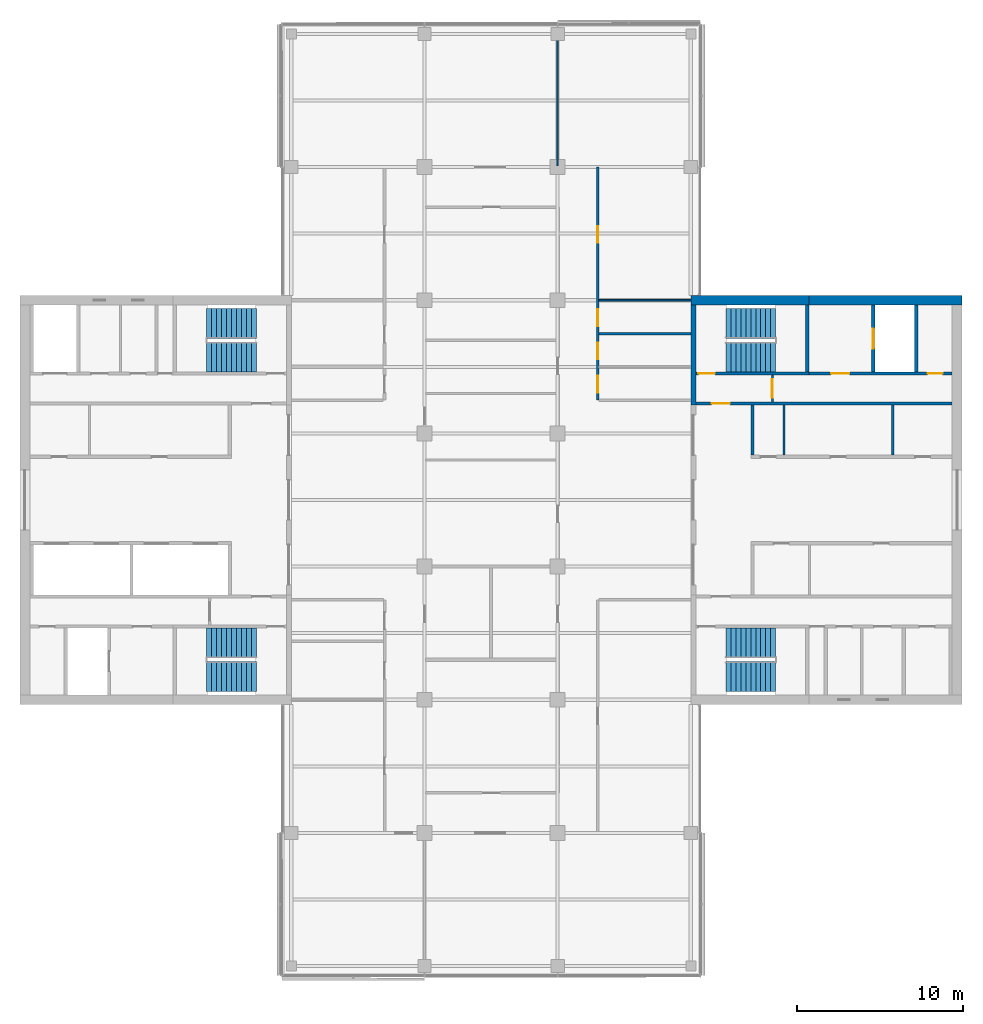
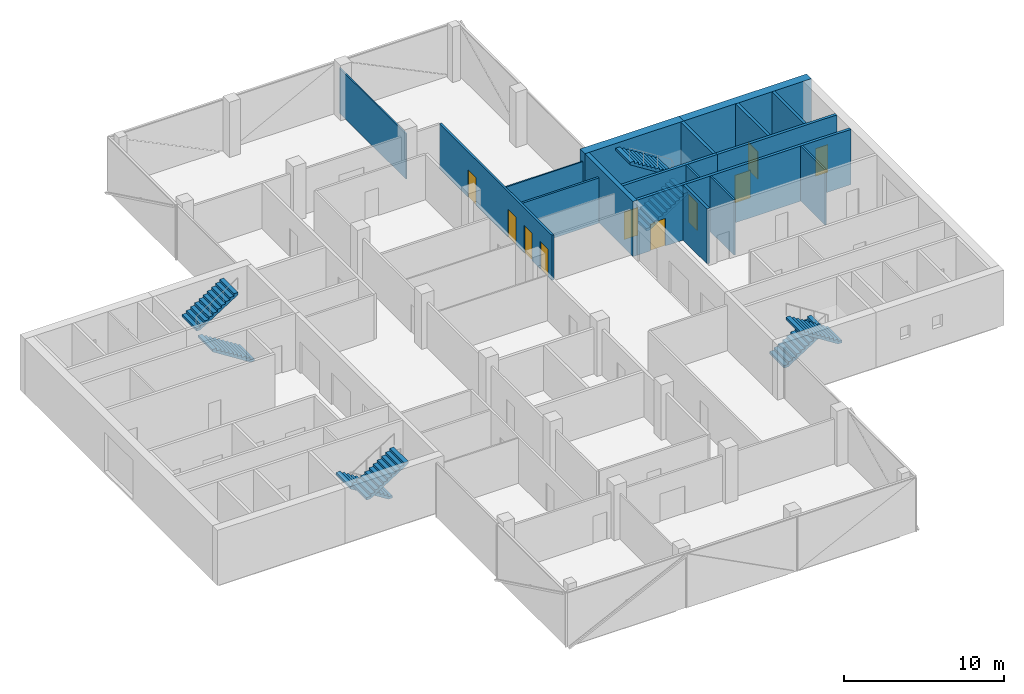
# One storey, part 12 of 15: 17 walls, 10 doors, 8 stair flights, 10 openings, 4 elements without a shape of their own.
"""IFC4 building model written with IfcOpenShell, lengths in metres."""

from ifc_helpers import new_model, si_unit, direction, frame, frame_2d, origin, place, context, subcontext, project, spatial, polyline, rectangle, outline, extrude, material, layer, layer_set, constituent, constituent_set, type_object, element, fill, aggregate, save


model = new_model("IFC4")

# Units and contexts
model_context = context("Model", 3, precision=1e-05, world=origin(), true_north=direction((0.0, 1.0)))
body_context = subcontext(model_context, "Body", "Model", "MODEL_VIEW")
ifc_project = project(units=[si_unit("LENGTHUNIT", "METRE"), si_unit("AREAUNIT", "SQUARE_METRE"), si_unit("VOLUMEUNIT", "CUBIC_METRE"), si_unit("PLANEANGLEUNIT", "RADIAN"), si_unit("MASSUNIT", "GRAM", prefix="KILO")], contexts=[model_context])

# Site, building, storey
site_placement = place(None, origin())
site = spatial("IfcSite", under=ifc_project, at=site_placement, CompositionType="ELEMENT")
building_placement = place(site_placement, origin())
building = spatial("IfcBuilding", under=site, at=building_placement, Name="Crosswind Convention Tower", CompositionType="ELEMENT")
storey_placement = place(building_placement, frame((0.0, 0.0, 229.300048828125)))
storey = spatial("IfcBuildingStorey", under=building, at=storey_placement, Name="L49", CompositionType="ELEMENT", Elevation=229.300048828125)

# Walls
ifc_material_1 = material(Name="Concrete C50/60", Category="concrete")
ifc_layer_1 = layer(ifc_material_1, 0.300048828125)
ifc_layer_set_1 = layer_set([ifc_layer_1], Name="Concrete C50/60")
wall_type_1 = type_object("IfcWallType", Name="Concrete inner core wall 300", PredefinedType="SHEAR", material=ifc_layer_set_1)
wall_1_placement = place(storey_placement, frame((137.14990234375, 105.699951171875, 0.0), z_axis=(0.0, 0.0, 1.0), x_axis=(0.0, 1.0, 0.0)))
element("IfcWall", 1, at=wall_1_placement, inside=storey, type_object=wall_type_1, Name="Wall EP E L49", PredefinedType="SHEAR", context=body_context, shape_type="SweptSolid", body=[
    extrude(rectangle(XDim=6.0, YDim=0.300048828125, at=frame_2d((3.0, 0.0))), origin(), (0.0, 0.0, 1.0), 4.199951171875),
])
ifc_layer_2 = layer(ifc_material_1, 0.199951171875)
ifc_layer_set_2 = layer_set([ifc_layer_2], Name="Concrete C50/60")
wall_type_2 = type_object("IfcWallType", Name="Concrete shaft and stair wall 200", PredefinedType="SHEAR", material=ifc_layer_set_2)
wall_2_placement = place(storey_placement, frame((140.699951171875, 102.699951171875, 0.0), z_axis=(0.0, 0.0, 1.0), x_axis=(0.0, 1.0, 0.0)))
element("IfcWall", 2, at=wall_2_placement, inside=storey, type_object=wall_type_2, Name="Wall RPEND E L49", PredefinedType="SHEAR", context=body_context, shape_type="SweptSolid", body=[
    extrude(rectangle(XDim=3.0, YDim=0.199951171875, at=frame_2d((1.5, 0.0))), origin(), (0.0, 0.0, 1.0), 4.199951171875),
])

# Wall, opening, door
wall_3_placement = place(storey_placement, frame((137.300048828125, 105.800048828125, 0.0), z_axis=(0.0, 0.0, 1.0), x_axis=(1.0, 0.0, 0.0)))
wall_3 = element("IfcWall", 3, at=wall_3_placement, inside=storey, type_object=wall_type_2, Name="Wall HP E L49", PredefinedType="SHEAR", context=body_context, shape_type="SweptSolid", body=[
    extrude(rectangle(XDim=15.39990234375, YDim=0.199951171875, at=frame_2d((7.699951171875, 0.0))), origin(), (0.0, 0.0, 1.0), 4.199951171875),
])
opening_1_placement = place(wall_3_placement, frame((0.949951171875, 0.0, 0.0)))
opening_1 = element("IfcOpeningElement", 4, at=opening_1_placement, cuts=wall_3, Name="Opening D104", PredefinedType="OPENING", context=body_context, shape_type="SweptSolid", body=[
    extrude(rectangle(XDim=1.10009765625, YDim=2.10009765625, at=frame_2d((0.550048828125, 1.050048828125))), frame((0.0, 0.10986328125, 0.0), z_axis=(0.0, -1.0, 0.0), x_axis=(1.0, 0.0, 0.0)), (0.0, 0.0, 1.0), 0.219970703125),
])
ifc_material_2 = material(Name="Steel fire door", Category="steel")
door_type_1 = type_object("IfcDoorType", Name="Fire-rated single door 1100x2100", OperationType="NOTDEFINED", PredefinedType="DOOR", material=ifc_material_2)
door_1_placement = place(opening_1_placement, origin())
door_1 = element("IfcDoor", 5, at=door_1_placement, inside=storey, type_object=door_type_1, Name="Corridor door L49", ObjectType="D104", OperationType="SINGLE_SWING_LEFT", OverallHeight=2.10009765625, OverallWidth=1.10009765625, PredefinedType="DOOR", context=body_context, shape_type="SweptSolid", body=[
    extrude(rectangle(XDim=1.10009765625, YDim=2.10009765625, at=frame_2d((0.550048828125, 1.050048828125))), frame((0.0, 0.02490234375, 0.0), z_axis=(0.0, -1.0, 0.0), x_axis=(1.0, 0.0, 0.0)), (0.0, 0.0, 1.0), 0.050048828125),
])
fill(opening_1, door_1)

# Wall
wall_4_placement = place(storey_placement, frame((144.0, 107.699951171875, 0.0), z_axis=(0.0, 0.0, 1.0), x_axis=(0.0, 1.0, 0.0)))
element("IfcWall", 6, at=wall_4_placement, inside=storey, type_object=wall_type_2, Name="Wall PSE E L49", PredefinedType="SHEAR", context=body_context, shape_type="SweptSolid", body=[
    extrude(rectangle(XDim=4.0, YDim=0.199951171875, at=frame_2d((2.0, 0.0))), origin(), (0.0, 0.0, 1.0), 4.199951171875),
])

# Wall, opening, door
wall_5_placement = place(storey_placement, frame((147.949951171875, 107.699951171875, 0.0), z_axis=(0.0, 0.0, 1.0), x_axis=(0.0, 1.0, 0.0)))
wall_5 = element("IfcWall", 7, at=wall_5_placement, inside=storey, type_object=wall_type_2, Name="Wall PFLW E L49", PredefinedType="SHEAR", context=body_context, shape_type="SweptSolid", body=[
    extrude(rectangle(XDim=4.0, YDim=0.199951171875, at=frame_2d((2.0, 0.0))), origin(), (0.0, 0.0, 1.0), 4.199951171875),
])
opening_2_placement = place(wall_5_placement, frame((1.39990234375, 0.0, 0.0)))
opening_2 = element("IfcOpeningElement", 8, at=opening_2_placement, cuts=wall_5, Name="Opening LD1", PredefinedType="OPENING", context=body_context, shape_type="SweptSolid", body=[
    extrude(rectangle(XDim=1.199951171875, YDim=2.10009765625, at=frame_2d((0.60009765625, 1.050048828125))), frame((0.0, 0.10986328125, 0.0), z_axis=(0.0, -1.0, 0.0), x_axis=(1.0, 0.0, 0.0)), (0.0, 0.0, 1.0), 0.219970703125),
])
ifc_material_3 = material(Name="Stainless steel", Category="steel")
door_type_2 = type_object("IfcDoorType", Name="Lift landing door 1200x2100", OperationType="DOUBLE_DOOR_SLIDING", PredefinedType="DOOR", material=ifc_material_3)
door_2_placement = place(opening_2_placement, origin())
door_2 = element("IfcDoor", 9, at=door_2_placement, inside=storey, type_object=door_type_2, Name="Landing door FF1 L49", ObjectType="LD1", OperationType="DOUBLE_DOOR_SLIDING", OverallHeight=2.10009765625, OverallWidth=1.199951171875, PredefinedType="DOOR", context=body_context, shape_type="SweptSolid", body=[
    extrude(rectangle(XDim=1.199951171875, YDim=2.10009765625, at=frame_2d((0.60009765625, 1.050048828125))), frame((0.0, 0.02490234375, 0.0), z_axis=(0.0, -1.0, 0.0), x_axis=(1.0, 0.0, 0.0)), (0.0, 0.0, 1.0), 0.050048828125),
])
fill(opening_2, door_2)

# Wall
wall_6_placement = place(storey_placement, frame((150.550048828125, 107.699951171875, 0.0), z_axis=(0.0, 0.0, 1.0), x_axis=(0.0, 1.0, 0.0)))
element("IfcWall", 10, at=wall_6_placement, inside=storey, type_object=wall_type_2, Name="Wall PFSE E L49", PredefinedType="SHEAR", context=body_context, shape_type="SweptSolid", body=[
    extrude(rectangle(XDim=4.0, YDim=0.199951171875, at=frame_2d((2.0, 0.0))), origin(), (0.0, 0.0, 1.0), 4.199951171875),
])

# Wall, opening, door
wall_7_placement = place(storey_placement, frame((137.300048828125, 107.60009765625, 0.0), z_axis=(0.0, 0.0, 1.0), x_axis=(1.0, 0.0, 0.0)))
wall_7 = element("IfcWall", 11, at=wall_7_placement, inside=storey, type_object=wall_type_2, Name="Wall PCW E L49", PredefinedType="SHEAR", context=body_context, shape_type="SweptSolid", body=[
    extrude(rectangle(XDim=6.800048828125, YDim=0.199951171875, at=frame_2d((3.39990234375, 0.0))), origin(), (0.0, 0.0, 1.0), 4.199951171875),
])
opening_3_placement = place(wall_7_placement, frame((0.14990234375, 0.0, 0.0)))
opening_3 = element("IfcOpeningElement", 12, at=opening_3_placement, cuts=wall_7, Name="Opening D103", PredefinedType="OPENING", context=body_context, shape_type="SweptSolid", body=[
    extrude(rectangle(XDim=1.0, YDim=2.10009765625, at=frame_2d((0.5, 1.050048828125))), frame((0.0, 0.10986328125, 0.0), z_axis=(0.0, -1.0, 0.0), x_axis=(1.0, 0.0, 0.0)), (0.0, 0.0, 1.0), 0.219970703125),
])
door_type_3 = type_object("IfcDoorType", Name="Fire-rated single door 1000x2100", OperationType="NOTDEFINED", PredefinedType="DOOR", material=ifc_material_2)
door_3_placement = place(opening_3_placement, origin())
door_3 = element("IfcDoor", 13, at=door_3_placement, inside=storey, type_object=door_type_3, Name="Stair ST1 door L49", ObjectType="D103", OperationType="SINGLE_SWING_LEFT", OverallHeight=2.10009765625, OverallWidth=1.0, PredefinedType="DOOR", context=body_context, shape_type="SweptSolid", body=[
    extrude(rectangle(XDim=1.0, YDim=2.10009765625, at=frame_2d((0.5, 1.050048828125))), frame((0.0, 0.02490234375, 0.0), z_axis=(0.0, -1.0, 0.0), x_axis=(1.0, 0.0, 0.0)), (0.0, 0.0, 1.0), 0.050048828125),
])
fill(opening_3, door_3)

# Wall, openings, doors
wall_8_placement = place(storey_placement, frame((144.10009765625, 107.60009765625, 0.0), z_axis=(0.0, 0.0, 1.0), x_axis=(1.0, 0.0, 0.0)))
wall_8 = element("IfcWall", 14, at=wall_8_placement, inside=storey, type_object=wall_type_2, Name="Wall PCX E L49", PredefinedType="SHEAR", context=body_context, shape_type="SweptSolid", body=[
    extrude(rectangle(XDim=8.599853515625, YDim=0.199951171875, at=frame_2d((4.2998046875, 0.0))), origin(), (0.0, 0.0, 1.0), 4.199951171875),
])
opening_4_placement = place(wall_8_placement, frame((1.324951171875, 0.0, 0.0)))
opening_4 = element("IfcOpeningElement", 15, at=opening_4_placement, cuts=wall_8, Name="Opening D104", PredefinedType="OPENING", context=body_context, shape_type="SweptSolid", body=[
    extrude(rectangle(XDim=1.10009765625, YDim=2.10009765625, at=frame_2d((0.550048828125, 1.050048828125))), frame((0.0, 0.10986328125, 0.0), z_axis=(0.0, -1.0, 0.0), x_axis=(1.0, 0.0, 0.0)), (0.0, 0.0, 1.0), 0.219970703125),
])
opening_5_placement = place(wall_8_placement, frame((7.125, 0.0, 0.0)))
opening_5 = element("IfcOpeningElement", 16, at=opening_5_placement, cuts=wall_8, Name="Opening D106", PredefinedType="OPENING", context=body_context, shape_type="SweptSolid", body=[
    extrude(rectangle(XDim=0.89990234375, YDim=2.10009765625, at=frame_2d((0.449951171875, 1.050048828125))), frame((0.0, 0.10986328125, 0.0), z_axis=(0.0, -1.0, 0.0), x_axis=(1.0, 0.0, 0.0)), (0.0, 0.0, 1.0), 0.219970703125),
])
door_4_placement = place(opening_4_placement, origin())
door_4 = element("IfcDoor", 17, at=door_4_placement, inside=storey, type_object=door_type_1, Name="Fire-fighting lobby FF1 door L49", ObjectType="D104", OperationType="SINGLE_SWING_RIGHT", OverallHeight=2.10009765625, OverallWidth=1.10009765625, PredefinedType="DOOR", context=body_context, shape_type="SweptSolid", body=[
    extrude(rectangle(XDim=1.10009765625, YDim=2.10009765625, at=frame_2d((0.550048828125, 1.050048828125))), frame((0.0, 0.02490234375, 0.0), z_axis=(0.0, -1.0, 0.0), x_axis=(1.0, 0.0, 0.0)), (0.0, 0.0, 1.0), 0.050048828125),
])
fill(opening_4, door_4)
ifc_material_4 = material(Name="Timber door", Category="wood")
door_type_4 = type_object("IfcDoorType", Name="Single leaf door 900x2100", OperationType="NOTDEFINED", PredefinedType="DOOR", material=ifc_material_4)
door_5_placement = place(opening_5_placement, origin())
door_5 = element("IfcDoor", 18, at=door_5_placement, inside=storey, type_object=door_type_4, Name="Door to cleaners' store L49", ObjectType="D106", OperationType="SINGLE_SWING_RIGHT", OverallHeight=2.10009765625, OverallWidth=0.89990234375, PredefinedType="DOOR", context=body_context, shape_type="SweptSolid", body=[
    extrude(rectangle(XDim=0.89990234375, YDim=2.10009765625, at=frame_2d((0.449951171875, 1.050048828125))), frame((0.0, 0.02490234375, 0.0), z_axis=(0.0, -1.0, 0.0), x_axis=(1.0, 0.0, 0.0)), (0.0, 0.0, 1.0), 0.050048828125),
])
fill(opening_5, door_5)

# Walls
ifc_material_5 = material(Name="Gypsum plasterboard partition", Category="gypsum")
ifc_layer_3 = layer(ifc_material_5, 0.125)
ifc_layer_set_3 = layer_set([ifc_layer_3], Name="Drywall partition wall 125")
wall_type_3 = type_object("IfcWallType", Name="Drywall partition wall 125", PredefinedType="PARTITIONING", material=ifc_layer_set_3)
for number, where, z_axis, x_axis, name in (
    (19, (142.5849609375, 102.699951171875, 0.0), (0.0, 0.0, 1.0), (0.0, 1.0, 0.0), "Wall RPP1 E L49"),
    (20, (149.1298828125, 102.699951171875, 0.0), (0.0, 0.0, 1.0), (0.0, 1.0, 0.0), "Wall RPP2 E L49"),
):
    element("IfcWall", number, at=place(storey_placement, frame(where, z_axis=z_axis, x_axis=x_axis)), inside=storey, type_object=wall_type_3, Name=name, PredefinedType="PARTITIONING", context=body_context, shape_type="SweptSolid", body=[
        extrude(rectangle(XDim=3.0, YDim=0.125, at=frame_2d((1.5, 0.0))), origin(), (0.0, 0.0, 1.0), 4.199951171875),
    ])

# Wall, opening, door
wall_9_placement = place(storey_placement, frame((141.89990234375, 105.89990234375, 0.0), z_axis=(0.0, 0.0, 1.0), x_axis=(0.0, 1.0, 0.0)))
wall_9 = element("IfcWall", 21, at=wall_9_placement, inside=storey, type_object=wall_type_3, Name="Wall PXC1 E L49", PredefinedType="PARTITIONING", context=body_context, shape_type="SweptSolid", body=[
    extrude(rectangle(XDim=1.60009765625, YDim=0.125, at=frame_2d((0.800048828125, 0.0))), origin(), (0.0, 0.0, 1.0), 4.199951171875),
])
opening_6_placement = place(wall_9_placement, frame((0.25, 0.0, 0.0)))
opening_6 = element("IfcOpeningElement", 22, at=opening_6_placement, cuts=wall_9, Name="Opening D104", PredefinedType="OPENING", context=body_context, shape_type="SweptSolid", body=[
    extrude(rectangle(XDim=1.10009765625, YDim=2.10009765625, at=frame_2d((0.550048828125, 1.050048828125))), frame((0.0, 0.072509765625, 0.0), z_axis=(0.0, -1.0, 0.0), x_axis=(1.0, 0.0, 0.0)), (0.0, 0.0, 1.0), 0.14501953125),
])
door_6_placement = place(opening_6_placement, origin())
door_6 = element("IfcDoor", 23, at=door_6_placement, inside=storey, type_object=door_type_1, Name="Corridor smoke door L49", ObjectType="D104", OperationType="SINGLE_SWING_RIGHT", OverallHeight=2.10009765625, OverallWidth=1.10009765625, PredefinedType="DOOR", context=body_context, shape_type="SweptSolid", body=[
    extrude(rectangle(XDim=1.10009765625, YDim=2.10009765625, at=frame_2d((0.550048828125, 1.050048828125))), frame((0.0, 0.02490234375, 0.0), z_axis=(0.0, -1.0, 0.0), x_axis=(1.0, 0.0, 0.0)), (0.0, 0.0, 1.0), 0.050048828125),
])
fill(opening_6, door_6)

# Walls
ifc_material_6 = material(Name="Plasterboard partition", Category="gypsum")
ifc_layer_4 = layer(ifc_material_6, 0.10009765625)
ifc_layer_set_4 = layer_set([ifc_layer_4], Name="PARTITION 100 METAL STUD")
wall_type_4 = type_object("IfcWallType", Name="PARTITION 100 METAL STUD", PredefinedType="PARTITIONING", material=ifc_layer_set_4)
wall_10_placement = place(storey_placement, frame((129.0, 120.074951171875, 0.0), z_axis=(0.0, 0.0, 1.0), x_axis=(0.0, 1.0, 0.0)))
element("IfcWall", 24, at=wall_10_placement, inside=storey, type_object=wall_type_4, Name="Partition wall WT40", PredefinedType="PARTITIONING", context=body_context, shape_type="SweptSolid", body=[
    extrude(rectangle(XDim=8.295166015625, YDim=0.10009765625, at=frame_2d((4.1474609375, 0.0))), origin(), (0.0, 0.0, 1.0), 3.439697265625),
])
wall_11_placement = place(storey_placement, frame((131.47509765625, 112.0, 0.0), z_axis=(0.0, 0.0, 1.0), x_axis=(1.0, 0.0, 0.0)))
element("IfcWall", 25, at=wall_11_placement, inside=storey, type_object=wall_type_4, Name="Partition wall WT40", PredefinedType="PARTITIONING", context=body_context, shape_type="SweptSolid", body=[
    extrude(rectangle(XDim=5.52490234375, YDim=0.10009765625, at=frame_2d((2.762451171875, 0.0))), origin(), (0.0, 0.0, 1.0), 3.439697265625),
])

# Wall, openings, doors
ifc_material_7 = material(Name="Fire-board partition with mineral wool", Category="gypsum")
ifc_layer_5 = layer(ifc_material_7, 0.14990234375)
ifc_layer_set_5 = layer_set([ifc_layer_5], Name="TENANCY WALL 150 TWO-HOUR BOARD")
wall_type_5 = type_object("IfcWallType", Name="TENANCY WALL 150 TWO-HOUR BOARD", PredefinedType="PARTITIONING", material=ifc_layer_set_5)
wall_12_placement = place(storey_placement, frame((131.39990234375, 106.0, 0.0), z_axis=(0.0, 0.0, 1.0), x_axis=(0.0, 1.0, 0.0)))
wall_12 = element("IfcWall", 26, at=wall_12_placement, inside=storey, type_object=wall_type_5, Name="Tenancy wall WT41", PredefinedType="PARTITIONING", context=body_context, shape_type="SweptSolid", body=[
    extrude(rectangle(XDim=14.0, YDim=0.14990234375, at=frame_2d((7.0, 0.0))), origin(), (0.0, 0.0, 1.0), 3.439697265625),
])
opening_7_placement = place(wall_12_placement, frame((0.449951171875, 0.0, 0.0)))
opening_7 = element("IfcOpeningElement", 27, at=opening_7_placement, cuts=wall_12, Name="Opening L49-50", PredefinedType="OPENING", context=body_context, shape_type="SweptSolid", body=[
    extrude(rectangle(XDim=1.0, YDim=2.10009765625, at=frame_2d((0.5, 1.050048828125))), frame((0.0, 0.0849609375, 0.0), z_axis=(0.0, -1.0, 0.0), x_axis=(1.0, 0.0, 0.0)), (0.0, 0.0, 1.0), 0.169921875),
])
opening_8_placement = place(wall_12_placement, frame((2.449951171875, 0.0, 0.0)))
opening_8 = element("IfcOpeningElement", 28, at=opening_8_placement, cuts=wall_12, Name="Opening L49-51", PredefinedType="OPENING", context=body_context, shape_type="SweptSolid", body=[
    extrude(rectangle(XDim=1.0, YDim=2.10009765625, at=frame_2d((0.5, 1.050048828125))), frame((0.0, 0.0849609375, 0.0), z_axis=(0.0, -1.0, 0.0), x_axis=(1.0, 0.0, 0.0)), (0.0, 0.0, 1.0), 0.169921875),
])
opening_9_placement = place(wall_12_placement, frame((4.449951171875, 0.0, 0.0)))
opening_9 = element("IfcOpeningElement", 29, at=opening_9_placement, cuts=wall_12, Name="Opening L49-52", PredefinedType="OPENING", context=body_context, shape_type="SweptSolid", body=[
    extrude(rectangle(XDim=1.0, YDim=2.10009765625, at=frame_2d((0.5, 1.050048828125))), frame((0.0, 0.0849609375, 0.0), z_axis=(0.0, -1.0, 0.0), x_axis=(1.0, 0.0, 0.0)), (0.0, 0.0, 1.0), 0.169921875),
])
opening_10_placement = place(wall_12_placement, frame((9.449951171875, 0.0, 0.0)))
opening_10 = element("IfcOpeningElement", 30, at=opening_10_placement, cuts=wall_12, Name="Opening L49-53", PredefinedType="OPENING", context=body_context, shape_type="SweptSolid", body=[
    extrude(rectangle(XDim=1.0, YDim=2.10009765625, at=frame_2d((0.5, 1.050048828125))), frame((0.0, 0.0849609375, 0.0), z_axis=(0.0, -1.0, 0.0), x_axis=(1.0, 0.0, 0.0)), (0.0, 0.0, 1.0), 0.169921875),
])
ifc_material_8 = material(Name="Timber fire door", Category="wood")
door_type_5 = type_object("IfcDoorType", Name="TENANCY ENTRANCE DOOR 1000X2100 FD30S", OperationType="NOTDEFINED", PredefinedType="DOOR", material=ifc_material_8)
door_7_placement = place(opening_7_placement, frame((1.0, 0.0, 0.0), z_axis=(0.0, 0.0, 1.0), x_axis=(-1.0, 0.0, 0.0)))
door_7 = element("IfcDoor", 31, at=door_7_placement, inside=storey, type_object=door_type_5, Name="Door L49-50", ObjectType="D41", OperationType="SINGLE_SWING_RIGHT", OverallHeight=2.10009765625, OverallWidth=1.0, PredefinedType="DOOR", context=body_context, shape_type="SweptSolid", body=[
    extrude(rectangle(XDim=1.0, YDim=2.10009765625, at=frame_2d((0.5, 1.050048828125))), frame((0.0, 0.02490234375, 0.0), z_axis=(0.0, -1.0, 0.0), x_axis=(1.0, 0.0, 0.0)), (0.0, 0.0, 1.0), 0.050048828125),
])
fill(opening_7, door_7)
door_8_placement = place(opening_8_placement, frame((1.0, 0.0, 0.0), z_axis=(0.0, 0.0, 1.0), x_axis=(-1.0, 0.0, 0.0)))
door_8 = element("IfcDoor", 32, at=door_8_placement, inside=storey, type_object=door_type_5, Name="Door L49-51", ObjectType="D41", OperationType="SINGLE_SWING_RIGHT", OverallHeight=2.10009765625, OverallWidth=1.0, PredefinedType="DOOR", context=body_context, shape_type="SweptSolid", body=[
    extrude(rectangle(XDim=1.0, YDim=2.10009765625, at=frame_2d((0.5, 1.050048828125))), frame((0.0, 0.02490234375, 0.0), z_axis=(0.0, -1.0, 0.0), x_axis=(1.0, 0.0, 0.0)), (0.0, 0.0, 1.0), 0.050048828125),
])
fill(opening_8, door_8)
door_9_placement = place(opening_9_placement, frame((1.0, 0.0, 0.0), z_axis=(0.0, 0.0, 1.0), x_axis=(-1.0, 0.0, 0.0)))
door_9 = element("IfcDoor", 33, at=door_9_placement, inside=storey, type_object=door_type_5, Name="Door L49-52", ObjectType="D41", OperationType="SINGLE_SWING_RIGHT", OverallHeight=2.10009765625, OverallWidth=1.0, PredefinedType="DOOR", context=body_context, shape_type="SweptSolid", body=[
    extrude(rectangle(XDim=1.0, YDim=2.10009765625, at=frame_2d((0.5, 1.050048828125))), frame((0.0, 0.02490234375, 0.0), z_axis=(0.0, -1.0, 0.0), x_axis=(1.0, 0.0, 0.0)), (0.0, 0.0, 1.0), 0.050048828125),
])
fill(opening_9, door_9)
door_10_placement = place(opening_10_placement, frame((1.0, 0.0, 0.0), z_axis=(0.0, 0.0, 1.0), x_axis=(-1.0, 0.0, 0.0)))
door_10 = element("IfcDoor", 34, at=door_10_placement, inside=storey, type_object=door_type_5, Name="Door L49-53", ObjectType="D41", OperationType="SINGLE_SWING_RIGHT", OverallHeight=2.10009765625, OverallWidth=1.0, PredefinedType="DOOR", context=body_context, shape_type="SweptSolid", body=[
    extrude(rectangle(XDim=1.0, YDim=2.10009765625, at=frame_2d((0.5, 1.050048828125))), frame((0.0, 0.02490234375, 0.0), z_axis=(0.0, -1.0, 0.0), x_axis=(1.0, 0.0, 0.0)), (0.0, 0.0, 1.0), 0.050048828125),
])
fill(opening_10, door_10)

# Walls
wall_13_placement = place(storey_placement, frame((131.47509765625, 110.0, 0.0), z_axis=(0.0, 0.0, 1.0), x_axis=(1.0, 0.0, 0.0)))
element("IfcWall", 35, at=wall_13_placement, inside=storey, type_object=wall_type_5, Name="Tenancy wall WT41", PredefinedType="PARTITIONING", context=body_context, shape_type="SweptSolid", body=[
    extrude(rectangle(XDim=5.52490234375, YDim=0.14990234375, at=frame_2d((2.762451171875, 0.0))), origin(), (0.0, 0.0, 1.0), 3.439697265625),
])
ifc_material_9 = material(Name="Concrete C60/75", Category="concrete")
ifc_constituent_1 = constituent(ifc_material_9, Name="Structure")
ifc_material_10 = material(Name="Terracotta rainscreen", Category="ceramic")
ifc_constituent_2 = constituent(ifc_material_10, Name="Facing")
ifc_constituent_set = constituent_set(constituents=[ifc_constituent_1, ifc_constituent_2], Name="Concrete C60/75, Terracotta rainscreen")
wall_type_6 = type_object("IfcWallType", Name="Terracotta rainscreen on concrete core wall 600", PredefinedType="SHEAR", material=ifc_constituent_set)
wall_14_placement = place(storey_placement, frame((137.0, 112.0, 0.0), z_axis=(0.0, 0.0, 1.0), x_axis=(1.0, 0.0, 0.0)))
element("IfcWall", 36, at=wall_14_placement, inside=storey, type_object=wall_type_6, Name="Wall N1 E L49", PredefinedType="SHEAR", context=body_context, shape_type="SweptSolid", body=[
    extrude(rectangle(XDim=7.10009765625, YDim=0.60009765625, at=frame_2d((3.550048828125, 0.0))), origin(), (0.0, 0.0, 1.0), 4.199951171875),
])
wall_15_placement = place(storey_placement, frame((144.10009765625, 112.0, 0.0), z_axis=(0.0, 0.0, 1.0), x_axis=(1.0, 0.0, 0.0)))
element("IfcWall", 37, at=wall_15_placement, inside=storey, type_object=wall_type_6, Name="Wall N2 E L49", PredefinedType="SHEAR", context=body_context, shape_type="SweptSolid", body=[
    extrude(rectangle(XDim=9.199951171875, YDim=0.60009765625, at=frame_2d((4.60009765625, 0.0))), origin(), (0.0, 0.0, 1.0), 4.199951171875),
])

# Stair, stair flights
ifc_material_11 = material(Name="Concrete C40/50", Category="concrete")
stair_type = type_object("IfcStairType", Name="Exit stair 1800 wide, 2 flights of 11 risers", PredefinedType="HALF_TURN_STAIR", material=ifc_material_11)
stair_1_placement = place(storey_placement, origin())
stair_1 = element("IfcStair", 38, at=stair_1_placement, inside=storey, type_object=stair_type, Name="Exit stair ST1 L49", ObjectType="ST5", PredefinedType="HALF_TURN_STAIR")
stair_flight_type = type_object("IfcStairFlightType", Name="Stair flight 1800 wide, 11 risers (SF4)", PredefinedType="STRAIGHT", material=ifc_material_11)
stair_flight_1_placement = place(storey_placement, frame((139.10009765625, 108.60009765625, 0.0), z_axis=(0.0, 0.0, 1.0), x_axis=(1.0, 0.0, 0.0)))
stair_flight_1 = element("IfcStairFlight", 39, at=stair_flight_1_placement, type_object=stair_flight_type, Name="ST1 flight 1", NumberOfRisers=11, NumberOfTreads=10, PredefinedType="STRAIGHT", RiserHeight=0.190909091, TreadLength=0.3, context=body_context, shape_type="SweptSolid", body=[
    extrude(outline(polyline([(0.0, 0.0), (0.0, 0.19091796875), (0.300048828125, 0.19091796875), (0.300048828125, 0.3818359375), (0.60009765625, 0.3818359375), (0.60009765625, 0.57275390625), (0.89990234375, 0.57275390625), (0.89990234375, 0.763671875), (1.199951171875, 0.763671875), (1.199951171875, 0.95458984375), (1.5, 0.95458984375), (1.5, 1.1455078125), (1.800048828125, 1.1455078125), (1.800048828125, 1.33642578125), (2.10009765625, 1.33642578125), (2.10009765625, 1.52734375), (2.39990234375, 1.52734375), (2.39990234375, 1.71826171875), (2.699951171875, 1.71826171875), (2.699951171875, 1.9091796875), (3.0, 1.9091796875), (3.0, 2.10009765625), (3.0, 1.7314453125), (0.279296875, 0.0), (0.0, 0.0)])), frame((0.0, 0.89990234375, 0.0), z_axis=(0.0, -1.0, 0.0), x_axis=(1.0, 0.0, 0.0)), (0.0, 0.0, 1.0), 1.800048828125),
])
stair_flight_2_placement = place(storey_placement, frame((142.10009765625, 110.60009765625, 2.099853515625), z_axis=(0.0, 0.0, 1.0), x_axis=(-1.0, 0.0, 0.0)))
stair_flight_2 = element("IfcStairFlight", 40, at=stair_flight_2_placement, type_object=stair_flight_type, Name="ST1 flight 2", NumberOfRisers=11, NumberOfTreads=10, PredefinedType="STRAIGHT", RiserHeight=0.190909091, TreadLength=0.3, context=body_context, shape_type="SweptSolid", body=[
    extrude(outline(polyline([(0.0, 0.0), (0.0, 0.19091796875), (0.300048828125, 0.19091796875), (0.300048828125, 0.3818359375), (0.60009765625, 0.3818359375), (0.60009765625, 0.57275390625), (0.89990234375, 0.57275390625), (0.89990234375, 0.763671875), (1.199951171875, 0.763671875), (1.199951171875, 0.95458984375), (1.5, 0.95458984375), (1.5, 1.1455078125), (1.800048828125, 1.1455078125), (1.800048828125, 1.33642578125), (2.10009765625, 1.33642578125), (2.10009765625, 1.52734375), (2.39990234375, 1.52734375), (2.39990234375, 1.71826171875), (2.699951171875, 1.71826171875), (2.699951171875, 1.9091796875), (3.0, 1.9091796875), (3.0, 2.10009765625), (3.0, 1.7314453125), (0.279296875, 0.0), (0.0, 0.0)])), frame((0.0, 0.89990234375, 0.0), z_axis=(0.0, -1.0, 0.0), x_axis=(1.0, 0.0, 0.0)), (0.0, 0.0, 1.0), 1.800048828125),
])
aggregate(stair_1, [stair_flight_1, stair_flight_2])

stair_2_placement = place(storey_placement, origin())
stair_2 = element("IfcStair", 41, at=stair_2_placement, inside=storey, type_object=stair_type, Name="Exit stair ST2 L49", ObjectType="ST5", PredefinedType="HALF_TURN_STAIR")
stair_flight_3_placement = place(storey_placement, frame((139.10009765625, 91.39990234375, 0.0), z_axis=(0.0, 0.0, 1.0), x_axis=(1.0, 0.0, 0.0)))
stair_flight_3 = element("IfcStairFlight", 42, at=stair_flight_3_placement, type_object=stair_flight_type, Name="ST2 flight 1", NumberOfRisers=11, NumberOfTreads=10, PredefinedType="STRAIGHT", RiserHeight=0.190909091, TreadLength=0.3, context=body_context, shape_type="SweptSolid", body=[
    extrude(outline(polyline([(0.0, 0.0), (0.0, 0.19091796875), (0.300048828125, 0.19091796875), (0.300048828125, 0.3818359375), (0.60009765625, 0.3818359375), (0.60009765625, 0.57275390625), (0.89990234375, 0.57275390625), (0.89990234375, 0.763671875), (1.199951171875, 0.763671875), (1.199951171875, 0.95458984375), (1.5, 0.95458984375), (1.5, 1.1455078125), (1.800048828125, 1.1455078125), (1.800048828125, 1.33642578125), (2.10009765625, 1.33642578125), (2.10009765625, 1.52734375), (2.39990234375, 1.52734375), (2.39990234375, 1.71826171875), (2.699951171875, 1.71826171875), (2.699951171875, 1.9091796875), (3.0, 1.9091796875), (3.0, 2.10009765625), (3.0, 1.7314453125), (0.279296875, 0.0), (0.0, 0.0)])), frame((0.0, 0.89990234375, 0.0), z_axis=(0.0, -1.0, 0.0), x_axis=(1.0, 0.0, 0.0)), (0.0, 0.0, 1.0), 1.800048828125),
])
stair_flight_4_placement = place(storey_placement, frame((142.10009765625, 89.39990234375, 2.099853515625), z_axis=(0.0, 0.0, 1.0), x_axis=(-1.0, 0.0, 0.0)))
stair_flight_4 = element("IfcStairFlight", 43, at=stair_flight_4_placement, type_object=stair_flight_type, Name="ST2 flight 2", NumberOfRisers=11, NumberOfTreads=10, PredefinedType="STRAIGHT", RiserHeight=0.190909091, TreadLength=0.3, context=body_context, shape_type="SweptSolid", body=[
    extrude(outline(polyline([(0.0, 0.0), (0.0, 0.19091796875), (0.300048828125, 0.19091796875), (0.300048828125, 0.3818359375), (0.60009765625, 0.3818359375), (0.60009765625, 0.57275390625), (0.89990234375, 0.57275390625), (0.89990234375, 0.763671875), (1.199951171875, 0.763671875), (1.199951171875, 0.95458984375), (1.5, 0.95458984375), (1.5, 1.1455078125), (1.800048828125, 1.1455078125), (1.800048828125, 1.33642578125), (2.10009765625, 1.33642578125), (2.10009765625, 1.52734375), (2.39990234375, 1.52734375), (2.39990234375, 1.71826171875), (2.699951171875, 1.71826171875), (2.699951171875, 1.9091796875), (3.0, 1.9091796875), (3.0, 2.10009765625), (3.0, 1.7314453125), (0.279296875, 0.0), (0.0, 0.0)])), frame((0.0, 0.89990234375, 0.0), z_axis=(0.0, -1.0, 0.0), x_axis=(1.0, 0.0, 0.0)), (0.0, 0.0, 1.0), 1.800048828125),
])
aggregate(stair_2, [stair_flight_3, stair_flight_4])

stair_3_placement = place(storey_placement, origin())
stair_3 = element("IfcStair", 44, at=stair_3_placement, inside=storey, type_object=stair_type, Name="Exit stair ST3 L49", ObjectType="ST5", PredefinedType="HALF_TURN_STAIR")
stair_flight_5_placement = place(storey_placement, frame((110.89990234375, 91.39990234375, 0.0), z_axis=(0.0, 0.0, 1.0), x_axis=(-1.0, 0.0, 0.0)))
stair_flight_5 = element("IfcStairFlight", 45, at=stair_flight_5_placement, type_object=stair_flight_type, Name="ST3 flight 1", NumberOfRisers=11, NumberOfTreads=10, PredefinedType="STRAIGHT", RiserHeight=0.190909091, TreadLength=0.3, context=body_context, shape_type="SweptSolid", body=[
    extrude(outline(polyline([(0.0, 0.0), (0.0, 0.19091796875), (0.300048828125, 0.19091796875), (0.300048828125, 0.3818359375), (0.60009765625, 0.3818359375), (0.60009765625, 0.57275390625), (0.89990234375, 0.57275390625), (0.89990234375, 0.763671875), (1.199951171875, 0.763671875), (1.199951171875, 0.95458984375), (1.5, 0.95458984375), (1.5, 1.1455078125), (1.800048828125, 1.1455078125), (1.800048828125, 1.33642578125), (2.10009765625, 1.33642578125), (2.10009765625, 1.52734375), (2.39990234375, 1.52734375), (2.39990234375, 1.71826171875), (2.699951171875, 1.71826171875), (2.699951171875, 1.9091796875), (3.0, 1.9091796875), (3.0, 2.10009765625), (3.0, 1.7314453125), (0.279296875, 0.0), (0.0, 0.0)])), frame((0.0, 0.89990234375, 0.0), z_axis=(0.0, -1.0, 0.0), x_axis=(1.0, 0.0, 0.0)), (0.0, 0.0, 1.0), 1.800048828125),
])
stair_flight_6_placement = place(storey_placement, frame((107.89990234375, 89.39990234375, 2.099853515625), z_axis=(0.0, 0.0, 1.0), x_axis=(1.0, 0.0, 0.0)))
stair_flight_6 = element("IfcStairFlight", 46, at=stair_flight_6_placement, type_object=stair_flight_type, Name="ST3 flight 2", NumberOfRisers=11, NumberOfTreads=10, PredefinedType="STRAIGHT", RiserHeight=0.190909091, TreadLength=0.3, context=body_context, shape_type="SweptSolid", body=[
    extrude(outline(polyline([(0.0, 0.0), (0.0, 0.19091796875), (0.300048828125, 0.19091796875), (0.300048828125, 0.3818359375), (0.60009765625, 0.3818359375), (0.60009765625, 0.57275390625), (0.89990234375, 0.57275390625), (0.89990234375, 0.763671875), (1.199951171875, 0.763671875), (1.199951171875, 0.95458984375), (1.5, 0.95458984375), (1.5, 1.1455078125), (1.800048828125, 1.1455078125), (1.800048828125, 1.33642578125), (2.10009765625, 1.33642578125), (2.10009765625, 1.52734375), (2.39990234375, 1.52734375), (2.39990234375, 1.71826171875), (2.699951171875, 1.71826171875), (2.699951171875, 1.9091796875), (3.0, 1.9091796875), (3.0, 2.10009765625), (3.0, 1.7314453125), (0.279296875, 0.0), (0.0, 0.0)])), frame((0.0, 0.89990234375, 0.0), z_axis=(0.0, -1.0, 0.0), x_axis=(1.0, 0.0, 0.0)), (0.0, 0.0, 1.0), 1.800048828125),
])
aggregate(stair_3, [stair_flight_5, stair_flight_6])

stair_4_placement = place(storey_placement, origin())
stair_4 = element("IfcStair", 47, at=stair_4_placement, inside=storey, type_object=stair_type, Name="Exit stair ST4 L49", ObjectType="ST5", PredefinedType="HALF_TURN_STAIR")
stair_flight_7_placement = place(storey_placement, frame((110.89990234375, 108.60009765625, 0.0), z_axis=(0.0, 0.0, 1.0), x_axis=(-1.0, 0.0, 0.0)))
stair_flight_7 = element("IfcStairFlight", 48, at=stair_flight_7_placement, type_object=stair_flight_type, Name="ST4 flight 1", NumberOfRisers=11, NumberOfTreads=10, PredefinedType="STRAIGHT", RiserHeight=0.190909091, TreadLength=0.3, context=body_context, shape_type="SweptSolid", body=[
    extrude(outline(polyline([(0.0, 0.0), (0.0, 0.19091796875), (0.300048828125, 0.19091796875), (0.300048828125, 0.3818359375), (0.60009765625, 0.3818359375), (0.60009765625, 0.57275390625), (0.89990234375, 0.57275390625), (0.89990234375, 0.763671875), (1.199951171875, 0.763671875), (1.199951171875, 0.95458984375), (1.5, 0.95458984375), (1.5, 1.1455078125), (1.800048828125, 1.1455078125), (1.800048828125, 1.33642578125), (2.10009765625, 1.33642578125), (2.10009765625, 1.52734375), (2.39990234375, 1.52734375), (2.39990234375, 1.71826171875), (2.699951171875, 1.71826171875), (2.699951171875, 1.9091796875), (3.0, 1.9091796875), (3.0, 2.10009765625), (3.0, 1.7314453125), (0.279296875, 0.0), (0.0, 0.0)])), frame((0.0, 0.89990234375, 0.0), z_axis=(0.0, -1.0, 0.0), x_axis=(1.0, 0.0, 0.0)), (0.0, 0.0, 1.0), 1.800048828125),
])
stair_flight_8_placement = place(storey_placement, frame((107.89990234375, 110.60009765625, 2.099853515625), z_axis=(0.0, 0.0, 1.0), x_axis=(1.0, 0.0, 0.0)))
stair_flight_8 = element("IfcStairFlight", 49, at=stair_flight_8_placement, type_object=stair_flight_type, Name="ST4 flight 2", NumberOfRisers=11, NumberOfTreads=10, PredefinedType="STRAIGHT", RiserHeight=0.190909091, TreadLength=0.3, context=body_context, shape_type="SweptSolid", body=[
    extrude(outline(polyline([(0.0, 0.0), (0.0, 0.19091796875), (0.300048828125, 0.19091796875), (0.300048828125, 0.3818359375), (0.60009765625, 0.3818359375), (0.60009765625, 0.57275390625), (0.89990234375, 0.57275390625), (0.89990234375, 0.763671875), (1.199951171875, 0.763671875), (1.199951171875, 0.95458984375), (1.5, 0.95458984375), (1.5, 1.1455078125), (1.800048828125, 1.1455078125), (1.800048828125, 1.33642578125), (2.10009765625, 1.33642578125), (2.10009765625, 1.52734375), (2.39990234375, 1.52734375), (2.39990234375, 1.71826171875), (2.699951171875, 1.71826171875), (2.699951171875, 1.9091796875), (3.0, 1.9091796875), (3.0, 2.10009765625), (3.0, 1.7314453125), (0.279296875, 0.0), (0.0, 0.0)])), frame((0.0, 0.89990234375, 0.0), z_axis=(0.0, -1.0, 0.0), x_axis=(1.0, 0.0, 0.0)), (0.0, 0.0, 1.0), 1.800048828125),
])
aggregate(stair_4, [stair_flight_7, stair_flight_8])

save(model, "model.ifc")
